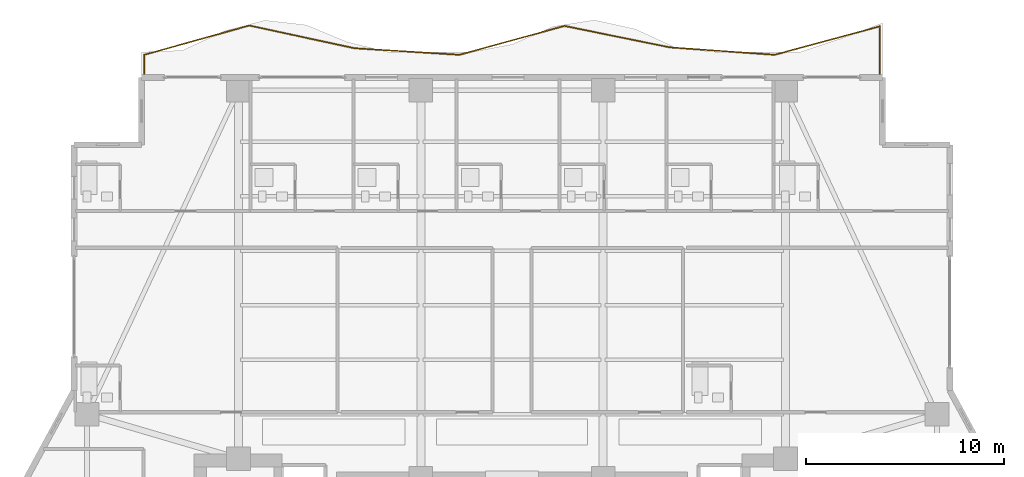
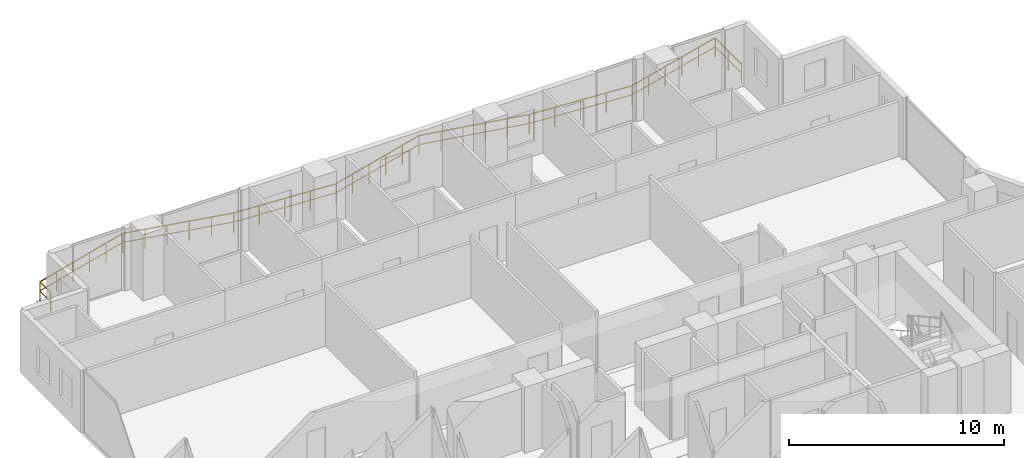
# One storey, part 32 of 33: 1 railing.
"""IFC4 building model written with IfcOpenShell, lengths in metres."""

import ifcopenshell
import ifcopenshell.guid

model = None  # the IFC model being written
_history = None  # IfcOwnerHistory: only IFC2X3 demands one
_inside = {}  # id of a spatial element -> (the spatial element, [elements in it])
_under = {}  # id of a project, library or spatial element -> (it, [spatial elements below it])
_declared = {}  # id of a project -> (the project, [libraries it declares])
_typed = {}  # id of a type object -> (the type object, [elements of that type])
_made_of = {}  # id of a material, layer set ... -> (it, [elements and type objects made of it])


def new_model(schema):
    """Start an empty IFC model of exactly this schema.

    Asked for "IFC4X3", IfcOpenShell would pick the latest addendum, in which some entities
    have other attributes; the version numbers below select the first issue.
    IFC2X3 requires an IfcOwnerHistory on every rooted entity: one is made here for all.
    """
    global model, _history
    if schema == "IFC4X3":
        model = ifcopenshell.file(schema_version=(4, 3, 0, 0))
    else:
        model = ifcopenshell.file(schema=schema)
    _inside.clear()
    _under.clear()
    _declared.clear()
    _typed.clear()
    _made_of.clear()
    _history = None
    if model.schema == "IFC2X3":
        org = make("IfcOrganization", Name="unknown")
        user = make(
            "IfcPersonAndOrganization",
            ThePerson=make("IfcPerson", FamilyName="unknown"),
            TheOrganization=org,
        )
        app = make(
            "IfcApplication",
            ApplicationDeveloper=org,
            Version="unknown",
            ApplicationFullName="unknown",
            ApplicationIdentifier="unknown",
        )
        _history = make(
            "IfcOwnerHistory",
            OwningUser=user,
            OwningApplication=app,
            ChangeAction="ADDED",
            CreationDate=0,
        )
    return model


def make(cls, **values):
    """One entity of the class cls with the attributes given. An attribute that is None is left unset."""
    return model.create_entity(
        cls, **{name: value for name, value in values.items() if value is not None}
    )


def rooted(cls, **values):
    """An entity with a GlobalId (a new one), such as an element, a storey or a relation."""
    return make(cls, GlobalId=ifcopenshell.guid.new(), OwnerHistory=_history, **values)


def si_unit(unit_type, name, prefix=None):
    """IfcSIUnit, for example si_unit("LENGTHUNIT", "METRE", prefix="MILLI")."""
    return make("IfcSIUnit", UnitType=unit_type, Prefix=prefix, Name=name)


def assignment(units):
    """IfcUnitAssignment: the units of a project."""
    return None if units is None else make("IfcUnitAssignment", Units=units)


def point(xyz):
    """IfcCartesianPoint."""
    return None if xyz is None else make("IfcCartesianPoint", Coordinates=xyz)


def direction(xyz):
    """IfcDirection."""
    return None if xyz is None else make("IfcDirection", DirectionRatios=xyz)


def frame(location, z_axis=None, x_axis=None):
    """IfcAxis2Placement3D, a coordinate frame: its origin and axes. An axis left out is left unset."""
    return make(
        "IfcAxis2Placement3D",
        Location=point(location),
        Axis=direction(z_axis),
        RefDirection=direction(x_axis),
    )


def frame_2d(location, x_axis=None):
    """IfcAxis2Placement2D, a coordinate frame in the plane: its origin and x axis."""
    return make(
        "IfcAxis2Placement2D", Location=point(location), RefDirection=direction(x_axis)
    )


def origin():
    """The frame at (0, 0, 0) with its axes left unset."""
    return frame((0.0, 0.0, 0.0))


def origin_2d():
    """The frame at (0, 0) in the plane with its x axis left unset."""
    return frame_2d((0.0, 0.0))


def place(relative_to, where):
    """IfcLocalPlacement: puts the frame where relative to a parent placement (None: the world)."""
    return make(
        "IfcLocalPlacement", PlacementRelTo=relative_to, RelativePlacement=where
    )


def context(
    kind, dimensions, precision=None, world=None, true_north=None, identifier=None
):
    """IfcGeometricRepresentationContext, for example the 3D "Model" context."""
    return make(
        "IfcGeometricRepresentationContext",
        ContextIdentifier=identifier,
        ContextType=kind,
        CoordinateSpaceDimension=dimensions,
        Precision=precision,
        WorldCoordinateSystem=world,
        TrueNorth=true_north,
    )


def subcontext(parent, identifier, kind, view, scale=None):
    """IfcGeometricRepresentationSubContext, for example "Body" below "Model"."""
    return make(
        "IfcGeometricRepresentationSubContext",
        ContextIdentifier=identifier,
        ContextType=kind,
        ParentContext=parent,
        TargetScale=scale,
        TargetView=view,
    )


def project(units=None, contexts=None):
    """IfcProject with its units and contexts."""
    return rooted(
        "IfcProject",
        Name="project",
        RepresentationContexts=contexts,
        UnitsInContext=assignment(units),
    )


def spatial(cls, under=None, at=None, **own):
    """A site, building, storey or space (cls), placed at a placement, below another one or the project."""
    s = rooted(cls, ObjectPlacement=at, **own)
    if under is not None:
        _under.setdefault(under.id(), (under, []))[1].append(s)
    return s


def profile(cls, at=None, kind="AREA", **sizes):
    """A parametric profile (cls). Its sizes go by their IFC names, for example OverallWidth=200.0."""
    return make(cls, ProfileType=kind, Position=at, **sizes)


def rectangle(**sizes):
    """IfcRectangleProfileDef."""
    return profile("IfcRectangleProfileDef", **sizes)


def extrude(swept, where, along, depth):
    """IfcExtrudedAreaSolid: the profile swept, set in the frame where, extruded along a direction by depth."""
    return make(
        "IfcExtrudedAreaSolid",
        SweptArea=swept,
        Position=where,
        ExtrudedDirection=direction(along),
        Depth=depth,
    )


def shape(context_of_items, identifier, shape_type, items):
    """IfcShapeRepresentation: the items that make up one representation, for example the "Body"."""
    return make(
        "IfcShapeRepresentation",
        ContextOfItems=context_of_items,
        RepresentationIdentifier=identifier,
        RepresentationType=shape_type,
        Items=items,
    )


def material(Name=None, Category=None):
    """IfcMaterial."""
    return make("IfcMaterial", Name=Name, Category=Category)


def made_of(thing, what):
    """Note that an element or type object is made of a material, layer set ...; save() writes the relation."""
    if what is not None:
        _made_of.setdefault(what.id(), (what, []))[1].append(thing)
    return thing


def type_object(cls, material=None, **own):
    """A type object (cls), such as IfcWallType, which elements share."""
    return made_of(rooted(cls, **own), material)


def element(
    cls,
    number,
    at=None,
    inside=None,
    cuts=None,
    type_object=None,
    material=None,
    context=None,
    identifier="Body",
    shape_type=None,
    held_by="IfcProductDefinitionShape",
    body=None,
    shapes=None,
    **own,
):
    """One element of the class cls, such as IfcWall. Its Tag is "e" and its number.

    at: its placement. inside: the storey or other place that contains it. cuts: it is an
    opening in that element (IfcRelVoidsElement). A single representation is given by context,
    identifier, shape_type and body (its items); several are given by shapes. held_by: the class
    of the entity that holds the representations. save() writes the other relations.
    """
    e = rooted(cls, Tag="e%d" % number, ObjectPlacement=at, **own)
    if body is not None:
        shapes = [shape(context, identifier, shape_type, body)]
    if shapes is not None:
        e.Representation = make(held_by, Representations=shapes)
    if inside is not None:
        _inside.setdefault(inside.id(), (inside, []))[1].append(e)
    if cuts is not None:
        rooted(
            "IfcRelVoidsElement", RelatingBuildingElement=cuts, RelatedOpeningElement=e
        )
    if type_object is not None:
        _typed.setdefault(type_object.id(), (type_object, []))[1].append(e)
    return made_of(e, material)


def aggregate(whole, parts):
    """IfcRelAggregates: a whole, such as a stair, and the parts it consists of."""
    return rooted("IfcRelAggregates", RelatingObject=whole, RelatedObjects=parts)


def save(model, path):
    """Write the relations noted so far, then the file.

    IfcRelAggregates (storeys below a building ...), IfcRelContainedInSpatialStructure (elements
    in a storey), IfcRelDefinesByType, IfcRelAssociatesMaterial and IfcRelDeclares: one each for
    every whole, place, type object, material and project.
    """
    for whole, parts in _under.values():
        aggregate(whole, parts)
    for where, things in _inside.values():
        rooted(
            "IfcRelContainedInSpatialStructure",
            RelatedElements=things,
            RelatingStructure=where,
        )
    for kind, things in _typed.values():
        rooted("IfcRelDefinesByType", RelatedObjects=things, RelatingType=kind)
    for what, things in _made_of.values():
        rooted("IfcRelAssociatesMaterial", RelatedObjects=things, RelatingMaterial=what)
    for by, libraries in _declared.values():
        rooted("IfcRelDeclares", RelatingContext=by, RelatedDefinitions=libraries)
    model.write(path)


model = new_model("IFC4")

# Units and contexts
model_context = context("Model", 3, precision=1e-05, world=origin(), true_north=direction((0.0, 1.0)))
body_context = subcontext(model_context, "Body", "Model", "MODEL_VIEW")
ifc_project = project(units=[si_unit("LENGTHUNIT", "METRE"), si_unit("AREAUNIT", "SQUARE_METRE"), si_unit("VOLUMEUNIT", "CUBIC_METRE"), si_unit("PLANEANGLEUNIT", "RADIAN"), si_unit("MASSUNIT", "GRAM", prefix="KILO")], contexts=[model_context])

# Site, building, storey
site_placement = place(None, origin())
site = spatial("IfcSite", under=ifc_project, at=site_placement, CompositionType="ELEMENT")
building_placement = place(site_placement, origin())
building = spatial("IfcBuilding", under=site, at=building_placement, Name="Zuhayl Quay Hotel", CompositionType="ELEMENT")
storey_placement = place(building_placement, frame((0.0, 0.0, 199.89990234375)))
storey = spatial("IfcBuildingStorey", under=building, at=storey_placement, Name="L50", CompositionType="ELEMENT", Elevation=199.89990234375)

# Railing
ifc_material = material(Name="Anodised Aluminium and Laminated Glass", Category="aluminium")
railing_type = type_object("IfcRailingType", Name="RL_EXT_BAL_1100", PredefinedType="BALUSTRADE", material=ifc_material)
railing_placement = place(storey_placement, frame((-18.56005859375, 33.719970703125, 0.0)))
element("IfcRailing", 1, at=railing_placement, inside=storey, type_object=railing_type, Name="L50 Balcony and Terrace Guard GR_L50_BAL_N", PredefinedType="BALUSTRADE", context=body_context, shape_type="SweptSolid", body=[
    extrude(rectangle(XDim=0.048095703125, YDim=0.048095703125, at=origin_2d()), frame((0.0, 0.0, 1.09619140625), z_axis=(0.0, 1.0, 0.0), x_axis=(-1.0, 0.0, 0.0)), (0.0, 0.0, 1.0), 1.02001953125),
    extrude(rectangle(XDim=0.0361328125, YDim=0.0361328125, at=origin_2d()), frame((0.0, 0.0, 0.58251953125), z_axis=(0.0, 1.0, 0.0), x_axis=(-1.0, 0.0, 0.0)), (0.0, 0.0, 1.0), 1.02001953125),
    extrude(rectangle(XDim=0.048095703125, YDim=0.048095703125, at=origin_2d()), frame((0.0, 1.02001953125, 1.09619140625), z_axis=(0.963261425096, 0.268565498383, 0.0), x_axis=(-0.268565498383, 0.963261425096, 0.0)), (0.0, 0.0, 1.0), 5.505126953125),
    extrude(rectangle(XDim=0.0361328125, YDim=0.0361328125, at=origin_2d()), frame((0.0, 1.02001953125, 0.58251953125), z_axis=(0.963261425096, 0.268565498383, 0.0), x_axis=(-0.268565498383, 0.963261425096, 0.0)), (0.0, 0.0, 1.0), 5.505126953125),
    extrude(rectangle(XDim=0.048095703125, YDim=0.048095703125, at=origin_2d()), frame((5.302978515625, 2.49853515625, 1.09619140625), z_axis=(0.977388282639, -0.211452465015, 0.0), x_axis=(0.211452465015, 0.977388282639, 0.0)), (0.0, 0.0, 1.0), 5.42529296875),
    extrude(rectangle(XDim=0.0361328125, YDim=0.0361328125, at=origin_2d()), frame((5.302978515625, 2.49853515625, 0.58251953125), z_axis=(0.977388282639, -0.211452465015, 0.0), x_axis=(0.211452465015, 0.977388282639, 0.0)), (0.0, 0.0, 1.0), 5.42529296875),
    extrude(rectangle(XDim=0.048095703125, YDim=0.048095703125, at=origin_2d()), frame((10.605712890625, 1.351318359375, 1.09619140625), z_axis=(0.998054187253, -0.062352540495, 0.0), x_axis=(0.062352540495, 0.998054187253, 0.0)), (0.0, 0.0, 1.0), 5.313232421875),
    extrude(rectangle(XDim=0.0361328125, YDim=0.0361328125, at=origin_2d()), frame((10.605712890625, 1.351318359375, 0.58251953125), z_axis=(0.998054187253, -0.062352540495, 0.0), x_axis=(0.062352540495, 0.998054187253, 0.0)), (0.0, 0.0, 1.0), 5.313232421875),
    extrude(rectangle(XDim=0.048095703125, YDim=0.048095703125, at=origin_2d()), frame((15.90869140625, 1.02001953125, 1.09619140625), z_axis=(0.964262122187, 0.264950107975, 0.0), x_axis=(-0.264950107975, 0.964262122187, 0.0)), (0.0, 0.0, 1.0), 5.499267578125),
    extrude(rectangle(XDim=0.0361328125, YDim=0.0361328125, at=origin_2d()), frame((15.90869140625, 1.02001953125, 0.58251953125), z_axis=(0.964262122187, 0.264950107975, 0.0), x_axis=(-0.264950107975, 0.964262122187, 0.0)), (0.0, 0.0, 1.0), 5.499267578125),
    extrude(rectangle(XDim=0.048095703125, YDim=0.048095703125, at=origin_2d()), frame((21.21142578125, 2.47705078125, 1.09619140625), z_axis=(0.979855792655, -0.199706348422, 0.0), x_axis=(0.199706348422, 0.979855792655, 0.0)), (0.0, 0.0, 1.0), 5.412109375),
    extrude(rectangle(XDim=0.0361328125, YDim=0.0361328125, at=origin_2d()), frame((21.21142578125, 2.47705078125, 0.58251953125), z_axis=(0.979855792655, -0.199706348422, 0.0), x_axis=(0.199706348422, 0.979855792655, 0.0)), (0.0, 0.0, 1.0), 5.412109375),
    extrude(rectangle(XDim=0.048095703125, YDim=0.048095703125, at=origin_2d()), frame((26.514404296875, 1.396240234375, 1.09619140625), z_axis=(0.997492621857, -0.070770540068, 0.0), x_axis=(0.070770540068, 0.997492621857, 0.0)), (0.0, 0.0, 1.0), 5.316162109375),
    extrude(rectangle(XDim=0.0361328125, YDim=0.0361328125, at=origin_2d()), frame((26.514404296875, 1.396240234375, 0.58251953125), z_axis=(0.997492621857, -0.070770540068, 0.0), x_axis=(0.070770540068, 0.997492621857, 0.0)), (0.0, 0.0, 1.0), 5.316162109375),
    extrude(rectangle(XDim=0.048095703125, YDim=0.048095703125, at=origin_2d()), frame((31.817138671875, 1.02001953125, 1.09619140625), z_axis=(0.965324658258, 0.261052301579, 0.0), x_axis=(-0.261052301579, 0.965324658258, 0.0)), (0.0, 0.0, 1.0), 5.493408203125),
    extrude(rectangle(XDim=0.0361328125, YDim=0.0361328125, at=origin_2d()), frame((31.817138671875, 1.02001953125, 0.58251953125), z_axis=(0.965324658258, 0.261052301579, 0.0), x_axis=(-0.261052301579, 0.965324658258, 0.0)), (0.0, 0.0, 1.0), 5.493408203125),
    extrude(rectangle(XDim=0.048095703125, YDim=0.048095703125, at=origin_2d()), frame((37.1201171875, 2.4541015625, 1.09619140625), z_axis=(0.0, -1.0, 0.0), x_axis=(1.0, 0.0, 0.0)), (0.0, 0.0, 1.0), 2.4541015625),
    extrude(rectangle(XDim=0.0361328125, YDim=0.0361328125, at=origin_2d()), frame((37.1201171875, 2.4541015625, 0.58251953125), z_axis=(0.0, -1.0, 0.0), x_axis=(1.0, 0.0, 0.0)), (0.0, 0.0, 1.0), 2.4541015625),
    extrude(rectangle(XDim=0.0419921875, YDim=0.0419921875, at=origin_2d()), origin(), (0.0, 0.0, 1.0), 1.072021484375),
    extrude(rectangle(XDim=0.0419921875, YDim=0.0419921875, at=origin_2d()), frame((0.0, 1.02001953125, 0.0)), (0.0, 0.0, 1.0), 1.072021484375),
    extrude(rectangle(XDim=0.0419921875, YDim=0.0419921875, at=origin_2d()), frame((1.060546875, 1.315673828125, 0.0)), (0.0, 0.0, 1.0), 1.072021484375),
    extrude(rectangle(XDim=0.0419921875, YDim=0.0419921875, at=origin_2d()), frame((2.12109375, 1.611328125, 0.0)), (0.0, 0.0, 1.0), 1.072021484375),
    extrude(rectangle(XDim=0.0419921875, YDim=0.0419921875, at=origin_2d()), frame((3.181884765625, 1.9072265625, 0.0)), (0.0, 0.0, 1.0), 1.072021484375),
    extrude(rectangle(XDim=0.0419921875, YDim=0.0419921875, at=origin_2d()), frame((4.242431640625, 2.202880859375, 0.0)), (0.0, 0.0, 1.0), 1.072021484375),
    extrude(rectangle(XDim=0.0419921875, YDim=0.0419921875, at=origin_2d()), frame((5.302978515625, 2.49853515625, 0.0)), (0.0, 0.0, 1.0), 1.072021484375),
    extrude(rectangle(XDim=0.0419921875, YDim=0.0419921875, at=origin_2d()), frame((6.363525390625, 2.26904296875, 0.0)), (0.0, 0.0, 1.0), 1.072021484375),
    extrude(rectangle(XDim=0.0419921875, YDim=0.0419921875, at=origin_2d()), frame((7.424072265625, 2.03955078125, 0.0)), (0.0, 0.0, 1.0), 1.072021484375),
    extrude(rectangle(XDim=0.0419921875, YDim=0.0419921875, at=origin_2d()), frame((8.484619140625, 1.810302734375, 0.0)), (0.0, 0.0, 1.0), 1.072021484375),
    extrude(rectangle(XDim=0.0419921875, YDim=0.0419921875, at=origin_2d()), frame((9.545166015625, 1.580810546875, 0.0)), (0.0, 0.0, 1.0), 1.072021484375),
    extrude(rectangle(XDim=0.0419921875, YDim=0.0419921875, at=origin_2d()), frame((10.605712890625, 1.351318359375, 0.0)), (0.0, 0.0, 1.0), 1.072021484375),
    extrude(rectangle(XDim=0.0419921875, YDim=0.0419921875, at=origin_2d()), frame((11.931396484375, 1.2685546875, 0.0)), (0.0, 0.0, 1.0), 1.072021484375),
    extrude(rectangle(XDim=0.0419921875, YDim=0.0419921875, at=origin_2d()), frame((13.25732421875, 1.185546875, 0.0)), (0.0, 0.0, 1.0), 1.072021484375),
    extrude(rectangle(XDim=0.0419921875, YDim=0.0419921875, at=origin_2d()), frame((14.5830078125, 1.102783203125, 0.0)), (0.0, 0.0, 1.0), 1.072021484375),
    extrude(rectangle(XDim=0.0419921875, YDim=0.0419921875, at=origin_2d()), frame((15.90869140625, 1.02001953125, 0.0)), (0.0, 0.0, 1.0), 1.072021484375),
    extrude(rectangle(XDim=0.0419921875, YDim=0.0419921875, at=origin_2d()), frame((16.96923828125, 1.3115234375, 0.0)), (0.0, 0.0, 1.0), 1.072021484375),
    extrude(rectangle(XDim=0.0419921875, YDim=0.0419921875, at=origin_2d()), frame((18.02978515625, 1.602783203125, 0.0)), (0.0, 0.0, 1.0), 1.072021484375),
    extrude(rectangle(XDim=0.0419921875, YDim=0.0419921875, at=origin_2d()), frame((19.09033203125, 1.894287109375, 0.0)), (0.0, 0.0, 1.0), 1.072021484375),
    extrude(rectangle(XDim=0.0419921875, YDim=0.0419921875, at=origin_2d()), frame((20.15087890625, 2.185546875, 0.0)), (0.0, 0.0, 1.0), 1.072021484375),
    extrude(rectangle(XDim=0.0419921875, YDim=0.0419921875, at=origin_2d()), frame((21.21142578125, 2.47705078125, 0.0)), (0.0, 0.0, 1.0), 1.072021484375),
    extrude(rectangle(XDim=0.0419921875, YDim=0.0419921875, at=origin_2d()), frame((22.27197265625, 2.260986328125, 0.0)), (0.0, 0.0, 1.0), 1.072021484375),
    extrude(rectangle(XDim=0.0419921875, YDim=0.0419921875, at=origin_2d()), frame((23.33251953125, 2.044677734375, 0.0)), (0.0, 0.0, 1.0), 1.072021484375),
    extrude(rectangle(XDim=0.0419921875, YDim=0.0419921875, at=origin_2d()), frame((24.393310546875, 1.82861328125, 0.0)), (0.0, 0.0, 1.0), 1.072021484375),
    extrude(rectangle(XDim=0.0419921875, YDim=0.0419921875, at=origin_2d()), frame((25.453857421875, 1.6123046875, 0.0)), (0.0, 0.0, 1.0), 1.072021484375),
    extrude(rectangle(XDim=0.0419921875, YDim=0.0419921875, at=origin_2d()), frame((26.514404296875, 1.396240234375, 0.0)), (0.0, 0.0, 1.0), 1.072021484375),
    extrude(rectangle(XDim=0.0419921875, YDim=0.0419921875, at=origin_2d()), frame((27.840087890625, 1.30224609375, 0.0)), (0.0, 0.0, 1.0), 1.072021484375),
    extrude(rectangle(XDim=0.0419921875, YDim=0.0419921875, at=origin_2d()), frame((29.165771484375, 1.2080078125, 0.0)), (0.0, 0.0, 1.0), 1.072021484375),
    extrude(rectangle(XDim=0.0419921875, YDim=0.0419921875, at=origin_2d()), frame((30.491455078125, 1.114013671875, 0.0)), (0.0, 0.0, 1.0), 1.072021484375),
    extrude(rectangle(XDim=0.0419921875, YDim=0.0419921875, at=origin_2d()), frame((31.817138671875, 1.02001953125, 0.0)), (0.0, 0.0, 1.0), 1.072021484375),
    extrude(rectangle(XDim=0.0419921875, YDim=0.0419921875, at=origin_2d()), frame((32.877685546875, 1.306884765625, 0.0)), (0.0, 0.0, 1.0), 1.072021484375),
    extrude(rectangle(XDim=0.0419921875, YDim=0.0419921875, at=origin_2d()), frame((33.938232421875, 1.59375, 0.0)), (0.0, 0.0, 1.0), 1.072021484375),
    extrude(rectangle(XDim=0.0419921875, YDim=0.0419921875, at=origin_2d()), frame((34.9990234375, 1.88037109375, 0.0)), (0.0, 0.0, 1.0), 1.072021484375),
    extrude(rectangle(XDim=0.0419921875, YDim=0.0419921875, at=origin_2d()), frame((36.0595703125, 2.167236328125, 0.0)), (0.0, 0.0, 1.0), 1.072021484375),
    extrude(rectangle(XDim=0.0419921875, YDim=0.0419921875, at=origin_2d()), frame((37.1201171875, 2.4541015625, 0.0)), (0.0, 0.0, 1.0), 1.072021484375),
    extrude(rectangle(XDim=0.0419921875, YDim=0.0419921875, at=origin_2d()), frame((37.1201171875, 1.22705078125, 0.0)), (0.0, 0.0, 1.0), 1.072021484375),
    extrude(rectangle(XDim=0.0419921875, YDim=0.0419921875, at=origin_2d()), frame((37.1201171875, 0.0, 0.0)), (0.0, 0.0, 1.0), 1.072021484375),
])

save(model, "model.ifc")
